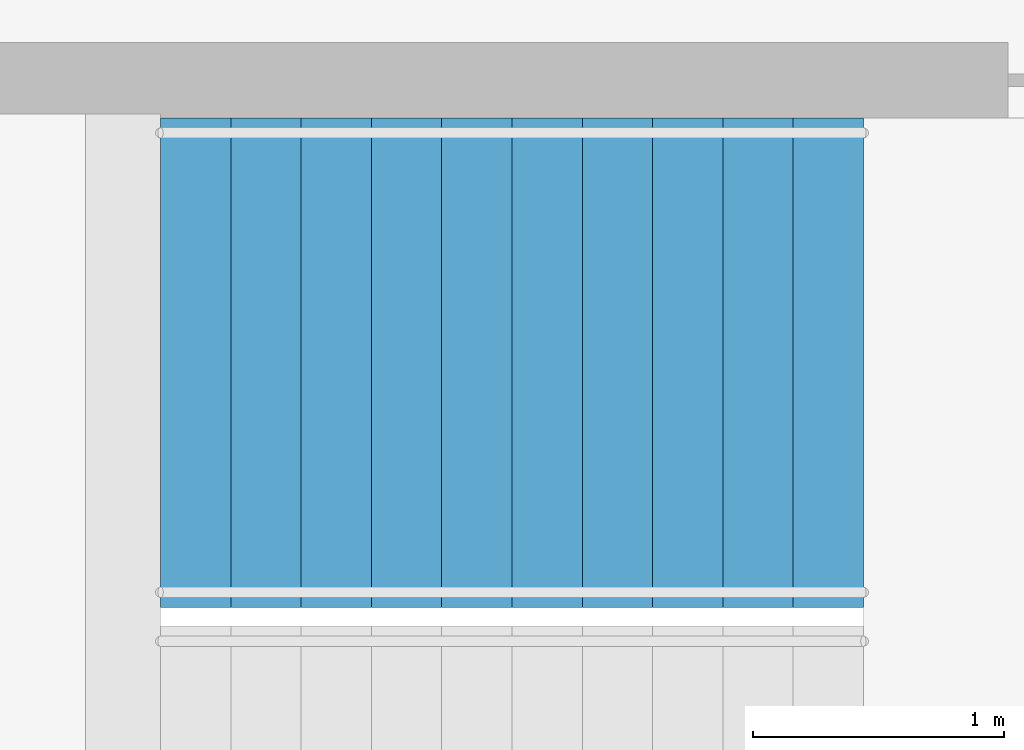
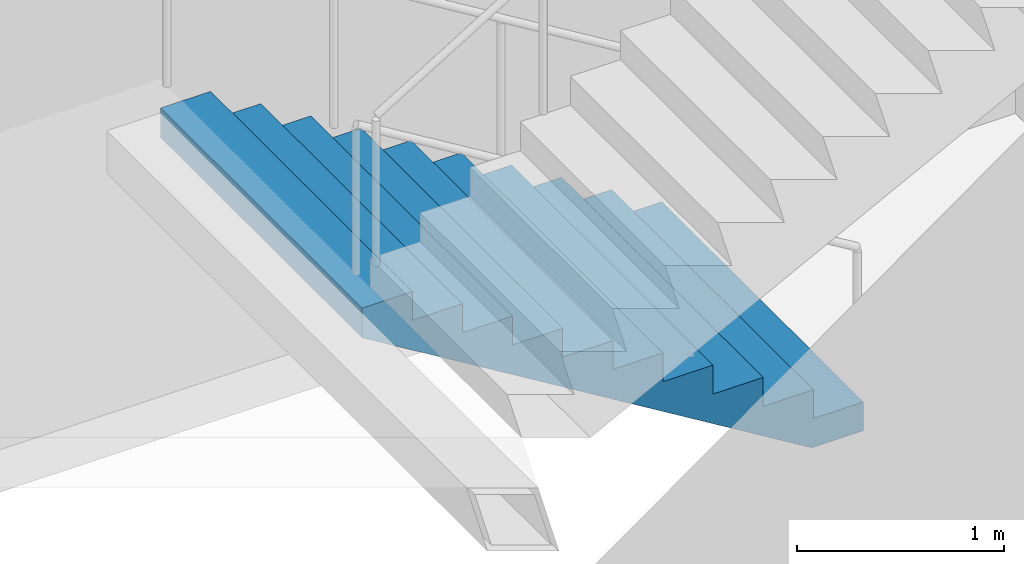
# One storey, part 21 of 22: 1 stair flight, 1 element without a shape of its own.
"""IFC4 building model written with IfcOpenShell, lengths in metres."""

from ifc_helpers import new_model, si_unit, direction, frame, origin, place, context, subcontext, project, spatial, triangles, material, type_object, element, aggregate, save


model = new_model("IFC4")

# Units and contexts
model_context = context("Model", 3, precision=1e-05, world=origin(), true_north=direction((0.0, 1.0)))
body_context = subcontext(model_context, "Body", "Model", "MODEL_VIEW")
ifc_project = project(units=[si_unit("LENGTHUNIT", "METRE"), si_unit("AREAUNIT", "SQUARE_METRE"), si_unit("VOLUMEUNIT", "CUBIC_METRE"), si_unit("PLANEANGLEUNIT", "RADIAN"), si_unit("MASSUNIT", "GRAM", prefix="KILO")], contexts=[model_context])

# Site, building, storey
site_placement = place(None, origin())
site = spatial("IfcSite", under=ifc_project, at=site_placement, CompositionType="ELEMENT")
building_placement = place(site_placement, origin())
building = spatial("IfcBuilding", under=site, at=building_placement, Name="Orbita Commons", CompositionType="ELEMENT")
storey_placement = place(building_placement, frame((0.0, 0.0, 118.14990234375)))
storey = spatial("IfcBuildingStorey", under=building, at=storey_placement, Name="L29", CompositionType="ELEMENT", Elevation=118.14990234375)

# Stair, stair flight
ifc_material_1 = material(Name="Precast concrete C40/50", Category="concrete")
stair_type = type_object("IfcStairType", Name="Exit stair S2 2 flights 11 risers 170", PredefinedType="HALF_TURN_STAIR", material=ifc_material_1)
stair_placement = place(storey_placement, origin())
stair = element("IfcStair", 1, at=stair_placement, inside=storey, type_object=stair_type, Name="Exit stair S2 L29", PredefinedType="HALF_TURN_STAIR")
ifc_material_2 = material(Name="Precast concrete C40/50", Category="concrete")
stair_flight_type = type_object("IfcStairFlightType", Name="Stair flight 11 risers 170 x 280", PredefinedType="STRAIGHT", material=ifc_material_2)
stair_flight_placement = place(storey_placement, frame((63.550048828125, 29.27490234375, 0.0), z_axis=(0.0, 0.0, 1.0), x_axis=(-1.0, 0.0, 0.0)))
stair_flight = element("IfcStairFlight", 2, at=stair_flight_placement, type_object=stair_flight_type, Name="S2 flight 1", NumberOfRisers=11, NumberOfTreads=10, PredefinedType="STRAIGHT", RiserHeight=0.170454545, TreadLength=0.28, context=body_context, shape_type="Tessellation", body=[
    triangles([(0.0, 0.974976, 0.0), (0.0, 0.974976, 0.021307), (0.0, 0.81248, 0.021307), (0.0, 0.81248, 0.0), (0.0, 0.649984, 0.021307), (0.0, 0.649984, 0.0), (0.0, 0.487488, 0.021307), (0.0, 0.487488, 0.0), (0.0, 0.324992, 0.021307), (0.0, 0.324992, 0.0), (0.0, 0.162496, 0.021307), (0.0, 0.162496, 0.0), (0.0, 0.0, 0.021307), (0.0, 0.0, 0.0), (0.0, -0.162496, 0.021307), (0.0, -0.162496, 0.0), (0.0, -0.324992, 0.021307), (0.0, -0.324992, 0.0), (0.0, -0.487488, 0.021307), (0.0, -0.487488, 0.0), (0.0, -0.649984, 0.021307), (0.0, -0.649984, 0.0), (0.0, -0.81248, 0.021307), (0.0, -0.81248, 0.0), (0.0, -0.974976, 0.021307), (0.0, -0.974976, 0.0), (0.0, 0.974976, 0.042614), (0.0, 0.81248, 0.042614), (0.0, 0.649984, 0.042614), (0.0, 0.487488, 0.042614), (0.0, 0.324992, 0.042614), (0.0, 0.162496, 0.042614), (0.0, 0.0, 0.042614), (0.0, -0.162496, 0.042614), (0.0, -0.324992, 0.042614), (0.0, -0.487488, 0.042614), (0.0, -0.649984, 0.042614), (0.0, -0.81248, 0.042614), (0.0, -0.974976, 0.042614), (0.0, 0.974976, 0.06392), (0.0, 0.81248, 0.06392), (0.0, 0.649984, 0.06392), (0.0, 0.487488, 0.06392), (0.0, 0.324992, 0.06392), (0.0, 0.162496, 0.06392), (0.0, 0.0, 0.06392), (0.0, -0.162496, 0.06392), (0.0, -0.324992, 0.06392), (0.0, -0.487488, 0.06392), (0.0, -0.649984, 0.06392), (0.0, -0.81248, 0.06392), (0.0, -0.974976, 0.06392), (0.0, 0.974976, 0.085227), (0.0, 0.81248, 0.085227), (0.0, 0.649984, 0.085227), (0.0, 0.487488, 0.085227), (0.0, 0.324992, 0.085227), (0.0, 0.162496, 0.085227), (0.0, 0.0, 0.085227), (0.0, -0.162496, 0.085227), (0.0, -0.324992, 0.085227), (0.0, -0.487488, 0.085227), (0.0, -0.649984, 0.085227), (0.0, -0.81248, 0.085227), (0.0, -0.974976, 0.085227), (0.0, 0.974976, 0.106534), (0.0, 0.81248, 0.106534), (0.0, 0.649984, 0.106534), (0.0, 0.487488, 0.106534), (0.0, 0.324992, 0.106534), (0.0, 0.162496, 0.106534), (0.0, 0.0, 0.106534), (0.0, -0.162496, 0.106534), (0.0, -0.324992, 0.106534), (0.0, -0.487488, 0.106534), (0.0, -0.649984, 0.106534), (0.0, -0.81248, 0.106534), (0.0, -0.974976, 0.106534), (0.0, 0.974976, 0.127841), (0.0, 0.81248, 0.127841), (0.0, 0.649984, 0.127841), (0.0, 0.487488, 0.127841), (0.0, 0.324992, 0.127841), (0.0, 0.162496, 0.127841), (0.0, 0.0, 0.127841), (0.0, -0.162496, 0.127841), (0.0, -0.324992, 0.127841), (0.0, -0.487488, 0.127841), (0.0, -0.649984, 0.127841), (0.0, -0.81248, 0.127841), (0.0, -0.974976, 0.127841), (0.0, 0.974976, 0.149148), (0.0, 0.81248, 0.149148), (0.0, 0.649984, 0.149148), (0.0, 0.487488, 0.149148), (0.0, 0.324992, 0.149148), (0.0, 0.162496, 0.149148), (0.0, 0.0, 0.149148), (0.0, -0.162496, 0.149148), (0.0, -0.324992, 0.149148), (0.0, -0.487488, 0.149148), (0.0, -0.649984, 0.149148), (0.0, -0.81248, 0.149148), (0.0, -0.974976, 0.149148), (0.0, 0.974976, 0.170455), (0.0, 0.81248, 0.170455), (0.0, 0.649984, 0.170455), (0.0, 0.487488, 0.170455), (0.0, 0.324992, 0.170455), (0.0, 0.162496, 0.170455), (0.0, 0.0, 0.170455), (0.0, -0.162496, 0.170455), (0.0, -0.324992, 0.170455), (0.0, -0.487488, 0.170455), (0.0, -0.649984, 0.170455), (0.0, -0.81248, 0.170455), (0.0, -0.974976, 0.170455), (0.28, 0.974976, 0.170455), (0.28, 0.81248, 0.170455), (0.28, 0.649984, 0.170455), (0.28, 0.487488, 0.170455), (0.28, 0.324992, 0.170455), (0.28, 0.162496, 0.170455), (0.28, 0.0, 0.170455), (0.28, -0.162496, 0.170455), (0.28, -0.324992, 0.170455), (0.28, -0.487488, 0.170455), (0.28, -0.649984, 0.170455), (0.28, -0.81248, 0.170455), (0.28, -0.974976, 0.170455), (0.28, 0.974976, 0.340909), (0.28, 0.81248, 0.340909), (0.28, 0.649984, 0.340909), (0.28, 0.487488, 0.340909), (0.28, 0.324992, 0.340909), (0.28, 0.162496, 0.340909), (0.28, 0.0, 0.340909), (0.28, -0.162496, 0.340909), (0.28, -0.324992, 0.340909), (0.28, -0.487488, 0.340909), (0.28, -0.649984, 0.340909), (0.28, -0.81248, 0.340909), (0.28, -0.974976, 0.340909), (0.56, 0.974976, 0.340909), (0.56, 0.81248, 0.340909), (0.56, 0.649984, 0.340909), (0.56, 0.487488, 0.340909), (0.56, 0.324992, 0.340909), (0.56, 0.162496, 0.340909), (0.56, 0.0, 0.340909), (0.56, -0.162496, 0.340909), (0.56, -0.324992, 0.340909), (0.56, -0.487488, 0.340909), (0.56, -0.649984, 0.340909), (0.56, -0.81248, 0.340909), (0.56, -0.974976, 0.340909), (0.56, 0.974976, 0.511364), (0.56, 0.81248, 0.511364), (0.56, 0.649984, 0.511364), (0.56, 0.487488, 0.511364), (0.56, 0.324992, 0.511364), (0.56, 0.162496, 0.511364), (0.56, 0.0, 0.511364), (0.56, -0.162496, 0.511364), (0.56, -0.324992, 0.511364), (0.56, -0.487488, 0.511364), (0.56, -0.649984, 0.511364), (0.56, -0.81248, 0.511364), (0.56, -0.974976, 0.511364), (0.84, 0.974976, 0.511364), (0.84, 0.81248, 0.511364), (0.84, 0.649984, 0.511364), (0.84, 0.487488, 0.511364), (0.84, 0.324992, 0.511364), (0.84, 0.162496, 0.511364), (0.84, 0.0, 0.511364), (0.84, -0.162496, 0.511364), (0.84, -0.324992, 0.511364), (0.84, -0.487488, 0.511364), (0.84, -0.649984, 0.511364), (0.84, -0.81248, 0.511364), (0.84, -0.974976, 0.511364), (0.84, 0.974976, 0.681818), (0.84, 0.81248, 0.681818), (0.84, 0.649984, 0.681818), (0.84, 0.487488, 0.681818), (0.84, 0.324992, 0.681818), (0.84, 0.162496, 0.681818), (0.84, 0.0, 0.681818), (0.84, -0.162496, 0.681818), (0.84, -0.324992, 0.681818), (0.84, -0.487488, 0.681818), (0.84, -0.649984, 0.681818), (0.84, -0.81248, 0.681818), (0.84, -0.974976, 0.681818), (1.12, 0.974976, 0.681818), (1.12, 0.81248, 0.681818), (1.12, 0.649984, 0.681818), (1.12, 0.487488, 0.681818), (1.12, 0.324992, 0.681818), (1.12, 0.162496, 0.681818), (1.12, 0.0, 0.681818), (1.12, -0.162496, 0.681818), (1.12, -0.324992, 0.681818), (1.12, -0.487488, 0.681818), (1.12, -0.649984, 0.681818), (1.12, -0.81248, 0.681818), (1.12, -0.974976, 0.681818), (1.12, 0.974976, 0.852273), (1.12, 0.81248, 0.852273), (1.12, 0.649984, 0.852273), (1.12, 0.487488, 0.852273), (1.12, 0.324992, 0.852273), (1.12, 0.162496, 0.852273), (1.12, 0.0, 0.852273), (1.12, -0.162496, 0.852273), (1.12, -0.324992, 0.852273), (1.12, -0.487488, 0.852273), (1.12, -0.649984, 0.852273), (1.12, -0.81248, 0.852273), (1.12, -0.974976, 0.852273), (1.4, 0.974976, 0.852273), (1.4, 0.81248, 0.852273), (1.4, 0.649984, 0.852273), (1.4, 0.487488, 0.852273), (1.4, 0.324992, 0.852273), (1.4, 0.162496, 0.852273), (1.4, 0.0, 0.852273), (1.4, -0.162496, 0.852273), (1.4, -0.324992, 0.852273), (1.4, -0.487488, 0.852273), (1.4, -0.649984, 0.852273), (1.4, -0.81248, 0.852273), (1.4, -0.974976, 0.852273), (1.4, 0.974976, 1.022727), (1.4, 0.81248, 1.022727), (1.4, 0.649984, 1.022727), (1.4, 0.487488, 1.022727), (1.4, 0.324992, 1.022727), (1.4, 0.162496, 1.022727), (1.4, 0.0, 1.022727), (1.4, -0.162496, 1.022727), (1.4, -0.324992, 1.022727), (1.4, -0.487488, 1.022727), (1.4, -0.649984, 1.022727), (1.4, -0.81248, 1.022727), (1.4, -0.974976, 1.022727), (1.68, 0.974976, 1.022727), (1.68, 0.81248, 1.022727), (1.68, 0.649984, 1.022727), (1.68, 0.487488, 1.022727), (1.68, 0.324992, 1.022727), (1.68, 0.162496, 1.022727), (1.68, 0.0, 1.022727), (1.68, -0.162496, 1.022727), (1.68, -0.324992, 1.022727), (1.68, -0.487488, 1.022727), (1.68, -0.649984, 1.022727), (1.68, -0.81248, 1.022727), (1.68, -0.974976, 1.022727), (1.68, 0.974976, 1.193182), (1.68, 0.81248, 1.193182), (1.68, 0.649984, 1.193182), (1.68, 0.487488, 1.193182), (1.68, 0.324992, 1.193182), (1.68, 0.162496, 1.193182), (1.68, 0.0, 1.193182), (1.68, -0.162496, 1.193182), (1.68, -0.324992, 1.193182), (1.68, -0.487488, 1.193182), (1.68, -0.649984, 1.193182), (1.68, -0.81248, 1.193182), (1.68, -0.974976, 1.193182), (1.96, 0.974976, 1.193182), (1.96, 0.81248, 1.193182), (1.96, 0.649984, 1.193182), (1.96, 0.487488, 1.193182), (1.96, 0.324992, 1.193182), (1.96, 0.162496, 1.193182), (1.96, 0.0, 1.193182), (1.96, -0.162496, 1.193182), (1.96, -0.324992, 1.193182), (1.96, -0.487488, 1.193182), (1.96, -0.649984, 1.193182), (1.96, -0.81248, 1.193182), (1.96, -0.974976, 1.193182), (1.96, 0.974976, 1.363636), (1.96, 0.81248, 1.363636), (1.96, 0.649984, 1.363636), (1.96, 0.487488, 1.363636), (1.96, 0.324992, 1.363636), (1.96, 0.162496, 1.363636), (1.96, 0.0, 1.363636), (1.96, -0.162496, 1.363636), (1.96, -0.324992, 1.363636), (1.96, -0.487488, 1.363636), (1.96, -0.649984, 1.363636), (1.96, -0.81248, 1.363636), (1.96, -0.974976, 1.363636), (2.24, 0.974976, 1.363636), (2.24, 0.81248, 1.363636), (2.24, 0.649984, 1.363636), (2.24, 0.487488, 1.363636), (2.24, 0.324992, 1.363636), (2.24, 0.162496, 1.363636), (2.24, 0.0, 1.363636), (2.24, -0.162496, 1.363636), (2.24, -0.324992, 1.363636), (2.24, -0.487488, 1.363636), (2.24, -0.649984, 1.363636), (2.24, -0.81248, 1.363636), (2.24, -0.974976, 1.363636), (2.24, 0.974976, 1.534091), (2.24, 0.81248, 1.534091), (2.24, 0.649984, 1.534091), (2.24, 0.487488, 1.534091), (2.24, 0.324992, 1.534091), (2.24, 0.162496, 1.534091), (2.24, 0.0, 1.534091), (2.24, -0.162496, 1.534091), (2.24, -0.324992, 1.534091), (2.24, -0.487488, 1.534091), (2.24, -0.649984, 1.534091), (2.24, -0.81248, 1.534091), (2.24, -0.974976, 1.534091), (2.52, 0.974976, 1.534091), (2.52, 0.81248, 1.534091), (2.52, 0.649984, 1.534091), (2.52, 0.487488, 1.534091), (2.52, 0.324992, 1.534091), (2.52, 0.162496, 1.534091), (2.52, 0.0, 1.534091), (2.52, -0.162496, 1.534091), (2.52, -0.324992, 1.534091), (2.52, -0.487488, 1.534091), (2.52, -0.649984, 1.534091), (2.52, -0.81248, 1.534091), (2.52, -0.974976, 1.534091), (2.52, 0.974976, 1.704545), (2.52, 0.81248, 1.704545), (2.52, 0.649984, 1.704545), (2.52, 0.487488, 1.704545), (2.52, 0.324992, 1.704545), (2.52, 0.162496, 1.704545), (2.52, 0.0, 1.704545), (2.52, -0.162496, 1.704545), (2.52, -0.324992, 1.704545), (2.52, -0.487488, 1.704545), (2.52, -0.649984, 1.704545), (2.52, -0.81248, 1.704545), (2.52, -0.974976, 1.704545), (2.8, 0.974976, 1.704545), (2.8, 0.81248, 1.704545), (2.8, 0.649984, 1.704545), (2.8, 0.487488, 1.704545), (2.8, 0.324992, 1.704545), (2.8, 0.162496, 1.704545), (2.8, 0.0, 1.704545), (2.8, -0.162496, 1.704545), (2.8, -0.324992, 1.704545), (2.8, -0.487488, 1.704545), (2.8, -0.649984, 1.704545), (2.8, -0.81248, 1.704545), (2.8, -0.974976, 1.704545), (2.8, 0.974976, 1.682609), (2.8, 0.81248, 1.682609), (2.8, 0.649984, 1.682609), (2.8, 0.487488, 1.682609), (2.8, 0.324992, 1.682609), (2.8, 0.162496, 1.682609), (2.8, 0.0, 1.682609), (2.8, -0.162496, 1.682609), (2.8, -0.324992, 1.682609), (2.8, -0.487488, 1.682609), (2.8, -0.649984, 1.682609), (2.8, -0.81248, 1.682609), (2.8, -0.974976, 1.682609), (2.8, 0.974976, 1.660672), (2.8, 0.81248, 1.660672), (2.8, 0.649984, 1.660672), (2.8, 0.487488, 1.660672), (2.8, 0.324992, 1.660672), (2.8, 0.162496, 1.660672), (2.8, 0.0, 1.660672), (2.8, -0.162496, 1.660672), (2.8, -0.324992, 1.660672), (2.8, -0.487488, 1.660672), (2.8, -0.649984, 1.660672), (2.8, -0.81248, 1.660672), (2.8, -0.974976, 1.660672), (2.8, 0.974976, 1.638735), (2.8, 0.81248, 1.638735), (2.8, 0.649984, 1.638735), (2.8, 0.487488, 1.638735), (2.8, 0.324992, 1.638735), (2.8, 0.162496, 1.638735), (2.8, 0.0, 1.638735), (2.8, -0.162496, 1.638735), (2.8, -0.324992, 1.638735), (2.8, -0.487488, 1.638735), (2.8, -0.649984, 1.638735), (2.8, -0.81248, 1.638735), (2.8, -0.974976, 1.638735), (2.8, 0.974976, 1.616798), (2.8, 0.81248, 1.616798), (2.8, 0.649984, 1.616798), (2.8, 0.487488, 1.616798), (2.8, 0.324992, 1.616798), (2.8, 0.162496, 1.616798), (2.8, 0.0, 1.616798), (2.8, -0.162496, 1.616798), (2.8, -0.324992, 1.616798), (2.8, -0.487488, 1.616798), (2.8, -0.649984, 1.616798), (2.8, -0.81248, 1.616798), (2.8, -0.974976, 1.616798), (2.8, 0.974976, 1.594861), (2.8, 0.81248, 1.594861), (2.8, 0.649984, 1.594861), (2.8, 0.487488, 1.594861), (2.8, 0.324992, 1.594861), (2.8, 0.162496, 1.594861), (2.8, 0.0, 1.594861), (2.8, -0.162496, 1.594861), (2.8, -0.324992, 1.594861), (2.8, -0.487488, 1.594861), (2.8, -0.649984, 1.594861), (2.8, -0.81248, 1.594861), (2.8, -0.974976, 1.594861), (2.8, 0.974976, 1.572925), (2.8, 0.81248, 1.572925), (2.8, 0.649984, 1.572925), (2.8, 0.487488, 1.572925), (2.8, 0.324992, 1.572925), (2.8, 0.162496, 1.572925), (2.8, 0.0, 1.572925), (2.8, -0.162496, 1.572925), (2.8, -0.324992, 1.572925), (2.8, -0.487488, 1.572925), (2.8, -0.649984, 1.572925), (2.8, -0.81248, 1.572925), (2.8, -0.974976, 1.572925), (2.8, 0.974976, 1.550988), (2.8, 0.81248, 1.550988), (2.8, 0.649984, 1.550988), (2.8, 0.487488, 1.550988), (2.8, 0.324992, 1.550988), (2.8, 0.162496, 1.550988), (2.8, 0.0, 1.550988), (2.8, -0.162496, 1.550988), (2.8, -0.324992, 1.550988), (2.8, -0.487488, 1.550988), (2.8, -0.649984, 1.550988), (2.8, -0.81248, 1.550988), (2.8, -0.974976, 1.550988), (2.8, 0.974976, 1.529051), (2.8, 0.81248, 1.529051), (2.8, 0.649984, 1.529051), (2.8, 0.487488, 1.529051), (2.8, 0.324992, 1.529051), (2.8, 0.162496, 1.529051), (2.8, 0.0, 1.529051), (2.8, -0.162496, 1.529051), (2.8, -0.324992, 1.529051), (2.8, -0.487488, 1.529051), (2.8, -0.649984, 1.529051), (2.8, -0.81248, 1.529051), (2.8, -0.974976, 1.529051), (0.288279, 0.974976, 0.0), (0.288279, 0.81248, 0.0), (0.288279, 0.649984, 0.0), (0.288279, 0.487488, 0.0), (0.288279, 0.324992, 0.0), (0.288279, 0.162496, 0.0), (0.288279, 0.0, 0.0), (0.288279, -0.162496, 0.0), (0.288279, -0.324992, 0.0), (0.288279, -0.487488, 0.0), (0.288279, -0.649984, 0.0), (0.288279, -0.81248, 0.0), (0.288279, -0.974976, 0.0)], [[3, 2, 1], [4, 3, 1], [5, 3, 4], [6, 5, 4], [7, 5, 6], [8, 7, 6], [9, 7, 8], [10, 9, 8], [11, 9, 10], [12, 11, 10], [13, 11, 12], [14, 13, 12], [15, 13, 14], [16, 15, 14], [17, 15, 16], [18, 17, 16], [19, 17, 18], [20, 19, 18], [21, 19, 20], [22, 21, 20], [23, 21, 22], [24, 23, 22], [25, 23, 24], [26, 25, 24], [28, 27, 2], [3, 28, 2], [29, 28, 3], [5, 29, 3], [30, 29, 5], [7, 30, 5], [31, 30, 7], [9, 31, 7], [32, 31, 9], [11, 32, 9], [33, 32, 11], [13, 33, 11], [34, 33, 13], [15, 34, 13], [35, 34, 15], [17, 35, 15], [36, 35, 17], [19, 36, 17], [37, 36, 19], [21, 37, 19], [38, 37, 21], [23, 38, 21], [39, 38, 23], [25, 39, 23], [41, 40, 27], [28, 41, 27], [42, 41, 28], [29, 42, 28], [43, 42, 29], [30, 43, 29], [44, 43, 30], [31, 44, 30], [45, 44, 31], [32, 45, 31], [46, 45, 32], [33, 46, 32], [47, 46, 33], [34, 47, 33], [48, 47, 34], [35, 48, 34], [49, 48, 35], [36, 49, 35], [50, 49, 36], [37, 50, 36], [51, 50, 37], [38, 51, 37], [52, 51, 38], [39, 52, 38], [54, 53, 40], [41, 54, 40], [55, 54, 41], [42, 55, 41], [56, 55, 42], [43, 56, 42], [57, 56, 43], [44, 57, 43], [58, 57, 44], [45, 58, 44], [59, 58, 45], [46, 59, 45], [60, 59, 46], [47, 60, 46], [61, 60, 47], [48, 61, 47], [62, 61, 48], [49, 62, 48], [63, 62, 49], [50, 63, 49], [64, 63, 50], [51, 64, 50], [65, 64, 51], [52, 65, 51], [67, 66, 53], [54, 67, 53], [68, 67, 54], [55, 68, 54], [69, 68, 55], [56, 69, 55], [70, 69, 56], [57, 70, 56], [71, 70, 57], [58, 71, 57], [72, 71, 58], [59, 72, 58], [73, 72, 59], [60, 73, 59], [74, 73, 60], [61, 74, 60], [75, 74, 61], [62, 75, 61], [76, 75, 62], [63, 76, 62], [77, 76, 63], [64, 77, 63], [78, 77, 64], [65, 78, 64], [80, 79, 66], [67, 80, 66], [81, 80, 67], [68, 81, 67], [82, 81, 68], [69, 82, 68], [83, 82, 69], [70, 83, 69], [84, 83, 70], [71, 84, 70], [85, 84, 71], [72, 85, 71], [86, 85, 72], [73, 86, 72], [87, 86, 73], [74, 87, 73], [88, 87, 74], [75, 88, 74], [89, 88, 75], [76, 89, 75], [90, 89, 76], [77, 90, 76], [91, 90, 77], [78, 91, 77], [93, 92, 79], [80, 93, 79], [94, 93, 80], [81, 94, 80], [95, 94, 81], [82, 95, 81], [96, 95, 82], [83, 96, 82], [97, 96, 83], [84, 97, 83], [98, 97, 84], [85, 98, 84], [99, 98, 85], [86, 99, 85], [100, 99, 86], [87, 100, 86], [101, 100, 87], [88, 101, 87], [102, 101, 88], [89, 102, 88], [103, 102, 89], [90, 103, 89], [104, 103, 90], [91, 104, 90], [106, 105, 92], [93, 106, 92], [107, 106, 93], [94, 107, 93], [108, 107, 94], [95, 108, 94], [109, 108, 95], [96, 109, 95], [110, 109, 96], [97, 110, 96], [111, 110, 97], [98, 111, 97], [112, 111, 98], [99, 112, 98], [113, 112, 99], [100, 113, 99], [114, 113, 100], [101, 114, 100], [115, 114, 101], [102, 115, 101], [116, 115, 102], [103, 116, 102], [117, 116, 103], [104, 117, 103], [119, 118, 105], [106, 119, 105], [120, 119, 106], [107, 120, 106], [121, 120, 107], [108, 121, 107], [122, 121, 108], [109, 122, 108], [123, 122, 109], [110, 123, 109], [124, 123, 110], [111, 124, 110], [125, 124, 111], [112, 125, 111], [126, 125, 112], [113, 126, 112], [127, 126, 113], [114, 127, 113], [128, 127, 114], [115, 128, 114], [129, 128, 115], [116, 129, 115], [130, 129, 116], [117, 130, 116], [132, 131, 118], [119, 132, 118], [133, 132, 119], [120, 133, 119], [134, 133, 120], [121, 134, 120], [135, 134, 121], [122, 135, 121], [136, 135, 122], [123, 136, 122], [137, 136, 123], [124, 137, 123], [138, 137, 124], [125, 138, 124], [139, 138, 125], [126, 139, 125], [140, 139, 126], [127, 140, 126], [141, 140, 127], [128, 141, 127], [142, 141, 128], [129, 142, 128], [143, 142, 129], [130, 143, 129], [145, 144, 131], [132, 145, 131], [146, 145, 132], [133, 146, 132], [147, 146, 133], [134, 147, 133], [148, 147, 134], [135, 148, 134], [149, 148, 135], [136, 149, 135], [150, 149, 136], [137, 150, 136], [151, 150, 137], [138, 151, 137], [152, 151, 138], [139, 152, 138], [153, 152, 139], [140, 153, 139], [154, 153, 140], [141, 154, 140], [155, 154, 141], [142, 155, 141], [156, 155, 142], [143, 156, 142], [158, 157, 144], [145, 158, 144], [159, 158, 145], [146, 159, 145], [160, 159, 146], [147, 160, 146], [161, 160, 147], [148, 161, 147], [162, 161, 148], [149, 162, 148], [163, 162, 149], [150, 163, 149], [164, 163, 150], [151, 164, 150], [165, 164, 151], [152, 165, 151], [166, 165, 152], [153, 166, 152], [167, 166, 153], [154, 167, 153], [168, 167, 154], [155, 168, 154], [169, 168, 155], [156, 169, 155], [171, 170, 157], [158, 171, 157], [172, 171, 158], [159, 172, 158], [173, 172, 159], [160, 173, 159], [174, 173, 160], [161, 174, 160], [175, 174, 161], [162, 175, 161], [176, 175, 162], [163, 176, 162], [177, 176, 163], [164, 177, 163], [178, 177, 164], [165, 178, 164], [179, 178, 165], [166, 179, 165], [180, 179, 166], [167, 180, 166], [181, 180, 167], [168, 181, 167], [182, 181, 168], [169, 182, 168], [184, 183, 170], [171, 184, 170], [185, 184, 171], [172, 185, 171], [186, 185, 172], [173, 186, 172], [187, 186, 173], [174, 187, 173], [188, 187, 174], [175, 188, 174], [189, 188, 175], [176, 189, 175], [190, 189, 176], [177, 190, 176], [191, 190, 177], [178, 191, 177], [192, 191, 178], [179, 192, 178], [193, 192, 179], [180, 193, 179], [194, 193, 180], [181, 194, 180], [195, 194, 181], [182, 195, 181], [197, 196, 183], [184, 197, 183], [198, 197, 184], [185, 198, 184], [199, 198, 185], [186, 199, 185], [200, 199, 186], [187, 200, 186], [201, 200, 187], [188, 201, 187], [202, 201, 188], [189, 202, 188], [203, 202, 189], [190, 203, 189], [204, 203, 190], [191, 204, 190], [205, 204, 191], [192, 205, 191], [206, 205, 192], [193, 206, 192], [207, 206, 193], [194, 207, 193], [208, 207, 194], [195, 208, 194], [210, 209, 196], [197, 210, 196], [211, 210, 197], [198, 211, 197], [212, 211, 198], [199, 212, 198], [213, 212, 199], [200, 213, 199], [214, 213, 200], [201, 214, 200], [215, 214, 201], [202, 215, 201], [216, 215, 202], [203, 216, 202], [217, 216, 203], [204, 217, 203], [218, 217, 204], [205, 218, 204], [219, 218, 205], [206, 219, 205], [220, 219, 206], [207, 220, 206], [221, 220, 207], [208, 221, 207], [223, 222, 209], [210, 223, 209], [224, 223, 210], [211, 224, 210], [225, 224, 211], [212, 225, 211], [226, 225, 212], [213, 226, 212], [227, 226, 213], [214, 227, 213], [228, 227, 214], [215, 228, 214], [229, 228, 215], [216, 229, 215], [230, 229, 216], [217, 230, 216], [231, 230, 217], [218, 231, 217], [232, 231, 218], [219, 232, 218], [233, 232, 219], [220, 233, 219], [234, 233, 220], [221, 234, 220], [236, 235, 222], [223, 236, 222], [237, 236, 223], [224, 237, 223], [238, 237, 224], [225, 238, 224], [239, 238, 225], [226, 239, 225], [240, 239, 226], [227, 240, 226], [241, 240, 227], [228, 241, 227], [242, 241, 228], [229, 242, 228], [243, 242, 229], [230, 243, 229], [244, 243, 230], [231, 244, 230], [245, 244, 231], [232, 245, 231], [246, 245, 232], [233, 246, 232], [247, 246, 233], [234, 247, 233], [249, 248, 235], [236, 249, 235], [250, 249, 236], [237, 250, 236], [251, 250, 237], [238, 251, 237], [252, 251, 238], [239, 252, 238], [253, 252, 239], [240, 253, 239], [254, 253, 240], [241, 254, 240], [255, 254, 241], [242, 255, 241], [256, 255, 242], [243, 256, 242], [257, 256, 243], [244, 257, 243], [258, 257, 244], [245, 258, 244], [259, 258, 245], [246, 259, 245], [260, 259, 246], [247, 260, 246], [262, 261, 248], [249, 262, 248], [263, 262, 249], [250, 263, 249], [264, 263, 250], [251, 264, 250], [265, 264, 251], [252, 265, 251], [266, 265, 252], [253, 266, 252], [267, 266, 253], [254, 267, 253], [268, 267, 254], [255, 268, 254], [269, 268, 255], [256, 269, 255], [270, 269, 256], [257, 270, 256], [271, 270, 257], [258, 271, 257], [272, 271, 258], [259, 272, 258], [273, 272, 259], [260, 273, 259], [275, 274, 261], [262, 275, 261], [276, 275, 262], [263, 276, 262], [277, 276, 263], [264, 277, 263], [278, 277, 264], [265, 278, 264], [279, 278, 265], [266, 279, 265], [280, 279, 266], [267, 280, 266], [281, 280, 267], [268, 281, 267], [282, 281, 268], [269, 282, 268], [283, 282, 269], [270, 283, 269], [284, 283, 270], [271, 284, 270], [285, 284, 271], [272, 285, 271], [286, 285, 272], [273, 286, 272], [288, 287, 274], [275, 288, 274], [289, 288, 275], [276, 289, 275], [290, 289, 276], [277, 290, 276], [291, 290, 277], [278, 291, 277], [292, 291, 278], [279, 292, 278], [293, 292, 279], [280, 293, 279], [294, 293, 280], [281, 294, 280], [295, 294, 281], [282, 295, 281], [296, 295, 282], [283, 296, 282], [297, 296, 283], [284, 297, 283], [298, 297, 284], [285, 298, 284], [299, 298, 285], [286, 299, 285], [301, 300, 287], [288, 301, 287], [302, 301, 288], [289, 302, 288], [303, 302, 289], [290, 303, 289], [304, 303, 290], [291, 304, 290], [305, 304, 291], [292, 305, 291], [306, 305, 292], [293, 306, 292], [307, 306, 293], [294, 307, 293], [308, 307, 294], [295, 308, 294], [309, 308, 295], [296, 309, 295], [310, 309, 296], [297, 310, 296], [311, 310, 297], [298, 311, 297], [312, 311, 298], [299, 312, 298], [314, 313, 300], [301, 314, 300], [315, 314, 301], [302, 315, 301], [316, 315, 302], [303, 316, 302], [317, 316, 303], [304, 317, 303], [318, 317, 304], [305, 318, 304], [319, 318, 305], [306, 319, 305], [320, 319, 306], [307, 320, 306], [321, 320, 307], [308, 321, 307], [322, 321, 308], [309, 322, 308], [323, 322, 309], [310, 323, 309], [324, 323, 310], [311, 324, 310], [325, 324, 311], [312, 325, 311], [327, 326, 313], [314, 327, 313], [328, 327, 314], [315, 328, 314], [329, 328, 315], [316, 329, 315], [330, 329, 316], [317, 330, 316], [331, 330, 317], [318, 331, 317], [332, 331, 318], [319, 332, 318], [333, 332, 319], [320, 333, 319], [334, 333, 320], [321, 334, 320], [335, 334, 321], [322, 335, 321], [336, 335, 322], [323, 336, 322], [337, 336, 323], [324, 337, 323], [338, 337, 324], [325, 338, 324], [340, 339, 326], [327, 340, 326], [341, 340, 327], [328, 341, 327], [342, 341, 328], [329, 342, 328], [343, 342, 329], [330, 343, 329], [344, 343, 330], [331, 344, 330], [345, 344, 331], [332, 345, 331], [346, 345, 332], [333, 346, 332], [347, 346, 333], [334, 347, 333], [348, 347, 334], [335, 348, 334], [349, 348, 335], [336, 349, 335], [350, 349, 336], [337, 350, 336], [351, 350, 337], [338, 351, 337], [353, 352, 339], [340, 353, 339], [354, 353, 340], [341, 354, 340], [355, 354, 341], [342, 355, 341], [356, 355, 342], [343, 356, 342], [357, 356, 343], [344, 357, 343], [358, 357, 344], [345, 358, 344], [359, 358, 345], [346, 359, 345], [360, 359, 346], [347, 360, 346], [361, 360, 347], [348, 361, 347], [362, 361, 348], [349, 362, 348], [363, 362, 349], [350, 363, 349], [364, 363, 350], [351, 364, 350], [366, 365, 352], [353, 366, 352], [367, 366, 353], [354, 367, 353], [368, 367, 354], [355, 368, 354], [369, 368, 355], [356, 369, 355], [370, 369, 356], [357, 370, 356], [371, 370, 357], [358, 371, 357], [372, 371, 358], [359, 372, 358], [373, 372, 359], [360, 373, 359], [374, 373, 360], [361, 374, 360], [375, 374, 361], [362, 375, 361], [376, 375, 362], [363, 376, 362], [377, 376, 363], [364, 377, 363], [379, 378, 365], [366, 379, 365], [380, 379, 366], [367, 380, 366], [381, 380, 367], [368, 381, 367], [382, 381, 368], [369, 382, 368], [383, 382, 369], [370, 383, 369], [384, 383, 370], [371, 384, 370], [385, 384, 371], [372, 385, 371], [386, 385, 372], [373, 386, 372], [387, 386, 373], [374, 387, 373], [388, 387, 374], [375, 388, 374], [389, 388, 375], [376, 389, 375], [390, 389, 376], [377, 390, 376], [392, 391, 378], [379, 392, 378], [393, 392, 379], [380, 393, 379], [394, 393, 380], [381, 394, 380], [395, 394, 381], [382, 395, 381], [396, 395, 382], [383, 396, 382], [397, 396, 383], [384, 397, 383], [398, 397, 384], [385, 398, 384], [399, 398, 385], [386, 399, 385], [400, 399, 386], [387, 400, 386], [401, 400, 387], [388, 401, 387], [402, 401, 388], [389, 402, 388], [403, 402, 389], [390, 403, 389], [405, 404, 391], [392, 405, 391], [406, 405, 392], [393, 406, 392], [407, 406, 393], [394, 407, 393], [408, 407, 394], [395, 408, 394], [409, 408, 395], [396, 409, 395], [410, 409, 396], [397, 410, 396], [411, 410, 397], [398, 411, 397], [412, 411, 398], [399, 412, 398], [413, 412, 399], [400, 413, 399], [414, 413, 400], [401, 414, 400], [415, 414, 401], [402, 415, 401], [416, 415, 402], [403, 416, 402], [418, 417, 404], [405, 418, 404], [419, 418, 405], [406, 419, 405], [420, 419, 406], [407, 420, 406], [421, 420, 407], [408, 421, 407], [422, 421, 408], [409, 422, 408], [423, 422, 409], [410, 423, 409], [424, 423, 410], [411, 424, 410], [425, 424, 411], [412, 425, 411], [426, 425, 412], [413, 426, 412], [427, 426, 413], [414, 427, 413], [428, 427, 414], [415, 428, 414], [429, 428, 415], [416, 429, 415], [431, 430, 417], [418, 431, 417], [432, 431, 418], [419, 432, 418], [433, 432, 419], [420, 433, 419], [434, 433, 420], [421, 434, 420], [435, 434, 421], [422, 435, 421], [436, 435, 422], [423, 436, 422], [437, 436, 423], [424, 437, 423], [438, 437, 424], [425, 438, 424], [439, 438, 425], [426, 439, 425], [440, 439, 426], [427, 440, 426], [441, 440, 427], [428, 441, 427], [442, 441, 428], [429, 442, 428], [444, 443, 430], [431, 444, 430], [445, 444, 431], [432, 445, 431], [446, 445, 432], [433, 446, 432], [447, 446, 433], [434, 447, 433], [448, 447, 434], [435, 448, 434], [449, 448, 435], [436, 449, 435], [450, 449, 436], [437, 450, 436], [451, 450, 437], [438, 451, 437], [452, 451, 438], [439, 452, 438], [453, 452, 439], [440, 453, 439], [454, 453, 440], [441, 454, 440], [455, 454, 441], [442, 455, 441], [457, 456, 443], [444, 457, 443], [458, 457, 444], [445, 458, 444], [459, 458, 445], [446, 459, 445], [460, 459, 446], [447, 460, 446], [461, 460, 447], [448, 461, 447], [462, 461, 448], [449, 462, 448], [463, 462, 449], [450, 463, 449], [464, 463, 450], [451, 464, 450], [465, 464, 451], [452, 465, 451], [466, 465, 452], [453, 466, 452], [467, 466, 453], [454, 467, 453], [468, 467, 454], [455, 468, 454], [470, 469, 456], [457, 470, 456], [471, 470, 457], [458, 471, 457], [472, 471, 458], [459, 472, 458], [473, 472, 459], [460, 473, 459], [474, 473, 460], [461, 474, 460], [475, 474, 461], [462, 475, 461], [476, 475, 462], [463, 476, 462], [477, 476, 463], [464, 477, 463], [478, 477, 464], [465, 478, 464], [479, 478, 465], [466, 479, 465], [480, 479, 466], [467, 480, 466], [481, 480, 467], [468, 481, 467], [4, 1, 469], [470, 4, 469], [6, 4, 470], [471, 6, 470], [8, 6, 471], [472, 8, 471], [10, 8, 472], [473, 10, 472], [12, 10, 473], [474, 12, 473], [14, 12, 474], [475, 14, 474], [16, 14, 475], [476, 16, 475], [18, 16, 476], [477, 18, 476], [20, 18, 477], [478, 20, 477], [22, 20, 478], [479, 22, 478], [24, 22, 479], [480, 24, 479], [26, 24, 480], [481, 26, 480], [456, 469, 1], [26, 481, 468], [443, 456, 1], [26, 468, 455], [430, 443, 1], [26, 455, 442], [417, 430, 1], [26, 442, 429], [404, 417, 1], [26, 429, 416], [391, 404, 1], [26, 416, 403], [378, 391, 1], [26, 403, 390], [365, 378, 1], [26, 390, 377], [339, 352, 365], [377, 364, 351], [326, 339, 365], [377, 351, 338], [300, 313, 326], [338, 325, 312], [300, 326, 365], [377, 338, 312], [274, 287, 300], [312, 299, 286], [274, 300, 365], [377, 312, 286], [248, 261, 274], [286, 273, 260], [248, 274, 365], [377, 286, 260], [222, 235, 248], [260, 247, 234], [222, 248, 365], [377, 260, 234], [196, 209, 222], [234, 221, 208], [196, 222, 365], [377, 234, 208], [170, 183, 196], [208, 195, 182], [170, 196, 365], [377, 208, 182], [144, 157, 170], [182, 169, 156], [144, 170, 365], [377, 182, 156], [118, 131, 144], [156, 143, 130], [118, 144, 365], [377, 156, 130], [118, 365, 1], [26, 377, 130], [92, 105, 118], [130, 117, 104], [79, 92, 118], [130, 104, 91], [66, 79, 118], [130, 91, 78], [53, 66, 118], [130, 78, 65], [40, 53, 118], [130, 65, 52], [27, 40, 118], [130, 52, 39], [2, 27, 118], [130, 39, 25], [1, 2, 118], [130, 25, 26]], closed=True),
])
aggregate(stair, [stair_flight])

save(model, "model.ifc")
